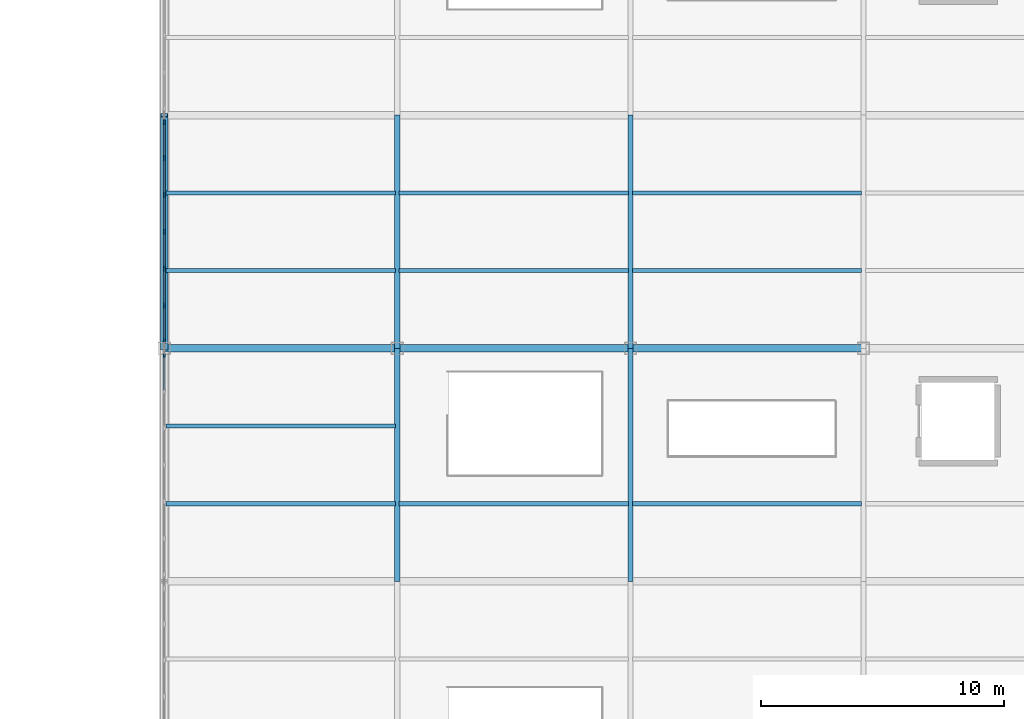
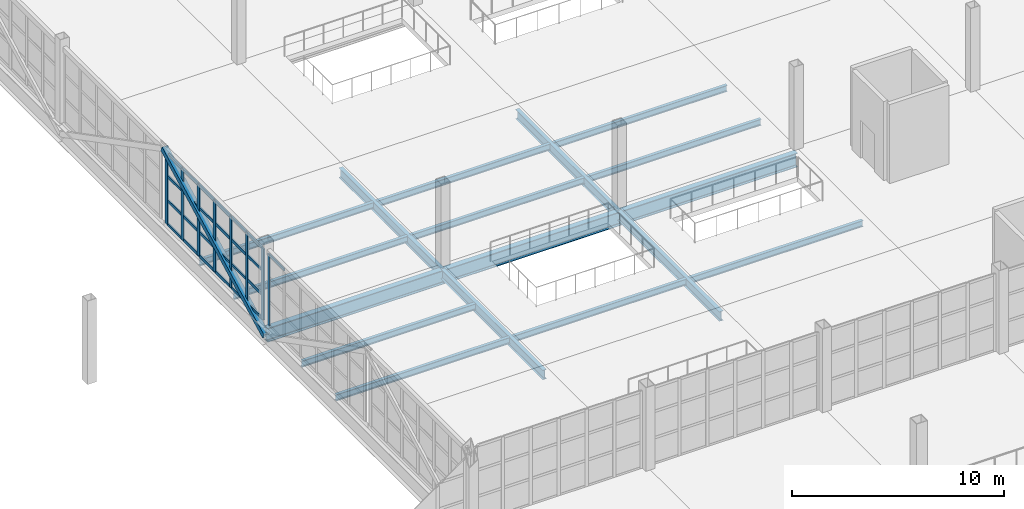
# One storey, part 45 of 120: 34 members, 17 beams, 2 elements without a shape of their own.
"""IFC4 building model written with IfcOpenShell, lengths in metres."""

from ifc_helpers import new_model, si_unit, direction, frame, origin, origin_2d, place, context, subcontext, project, spatial, rectangle, hollow_rectangle, i_section, extrude, material, layer, layer_set, material_profile, profile_set, type_object, element, aggregate, save


model = new_model("IFC4")

# Units and contexts
model_context = context("Model", 3, precision=1e-05, world=origin(), true_north=direction((0.0, 1.0)))
body_context = subcontext(model_context, "Body", "Model", "MODEL_VIEW")
ifc_project = project(units=[si_unit("LENGTHUNIT", "METRE"), si_unit("AREAUNIT", "SQUARE_METRE"), si_unit("VOLUMEUNIT", "CUBIC_METRE"), si_unit("PLANEANGLEUNIT", "RADIAN"), si_unit("MASSUNIT", "GRAM", prefix="KILO")], contexts=[model_context])

# Site, building, storey
site_placement = place(None, origin())
site = spatial("IfcSite", under=ifc_project, at=site_placement, CompositionType="ELEMENT")
building_placement = place(site_placement, origin())
building = spatial("IfcBuilding", under=site, at=building_placement, Name="Zarnetskaya Central Station", CompositionType="ELEMENT")
storey_placement = place(building_placement, frame((0.0, 0.0, 5.39990234375)))
storey = spatial("IfcBuildingStorey", under=building, at=storey_placement, Name="L01", CompositionType="ELEMENT", Elevation=5.39990234375)

# Beams
ifc_material_1 = material(Name="Steel S355", Category="steel")
ifc_material_profile_1 = material_profile(ifc_material_1, i_section(OverallWidth=0.169921875, OverallDepth=0.360107421875, WebThickness=0.008056640625, FlangeThickness=0.0126953125, FilletRadius=0.01806640625, at=origin_2d()), Name="IPE 360")
ifc_profile_set_1 = profile_set([ifc_material_profile_1], Name="Steel S355")
beam_type_1 = type_object("IfcBeamType", Name="BM-SEC-360", PredefinedType="BEAM", material=ifc_profile_set_1)
for number, where, z_axis, x_axis, name in (
    (1, (67.280029296875, 80.0, -0.4599609375), (1.0, 0.0, 0.0), (0.0, 1.0, 0.0), "Secondary floor beam SEC-L01-Z512-HJ-1011-1"),
    (2, (67.280029296875, 83.199951171875, -0.4599609375), (1.0, 0.0, 0.0), (0.0, 1.0, 0.0), "Secondary floor beam SEC-L01-Z512-HJ-1011-2"),
    (3, (67.280029296875, 89.60009765625, -0.4599609375), (1.0, 0.0, 0.0), (0.0, 1.0, 0.0), "Secondary floor beam SEC-L01-Z512-HJ-1112-1"),
    (4, (67.280029296875, 92.800048828125, -0.4599609375), (1.0, 0.0, 0.0), (0.0, 1.0, 0.0), "Secondary floor beam SEC-L01-Z512-HJ-1112-2"),
):
    element("IfcBeam", number, at=place(storey_placement, frame(where, z_axis=z_axis, x_axis=x_axis)), inside=storey, type_object=beam_type_1, Name=name, PredefinedType="BEAM", context=body_context, shape_type="SweptSolid", body=[
        extrude(i_section(OverallWidth=0.169921875, OverallDepth=0.360107421875, WebThickness=0.008056640625, FlangeThickness=0.0126953125, FilletRadius=0.01806640625, at=origin_2d()), origin(), (0.0, 0.0, 1.0), 9.43994140625),
    ])
for number, where, z_axis, x_axis, name in (
    (5, (76.8798828125, 80.0, -0.4599609375), (1.0, 0.0, 0.0), (0.0, 1.0, 0.0), "Secondary floor beam SEC-L01-Z512-JK-1011-1"),
    (6, (76.8798828125, 89.60009765625, -0.4599609375), (1.0, 0.0, 0.0), (0.0, 1.0, 0.0), "Secondary floor beam SEC-L01-Z512-JK-1112-1"),
    (7, (76.8798828125, 92.800048828125, -0.4599609375), (1.0, 0.0, 0.0), (0.0, 1.0, 0.0), "Secondary floor beam SEC-L01-Z512-JK-1112-2"),
):
    element("IfcBeam", number, at=place(storey_placement, frame(where, z_axis=z_axis, x_axis=x_axis)), inside=storey, type_object=beam_type_1, Name=name, PredefinedType="BEAM", context=body_context, shape_type="SweptSolid", body=[
        extrude(i_section(OverallWidth=0.169921875, OverallDepth=0.360107421875, WebThickness=0.008056640625, FlangeThickness=0.0126953125, FilletRadius=0.01806640625, at=origin_2d()), origin(), (0.0, 0.0, 1.0), 9.440185546875),
    ])
for number, where, z_axis, x_axis, name in (
    (8, (86.47998046875, 80.0, -0.4599609375), (1.0, 0.0, 0.0), (0.0, 1.0, 0.0), "Secondary floor beam SEC-L01-Z512-KL-1011-1"),
    (9, (86.47998046875, 89.60009765625, -0.4599609375), (1.0, 0.0, 0.0), (0.0, 1.0, 0.0), "Secondary floor beam SEC-L01-Z512-KL-1112-1"),
    (10, (86.47998046875, 92.800048828125, -0.4599609375), (1.0, 0.0, 0.0), (0.0, 1.0, 0.0), "Secondary floor beam SEC-L01-Z512-KL-1112-2"),
):
    element("IfcBeam", number, at=place(storey_placement, frame(where, z_axis=z_axis, x_axis=x_axis)), inside=storey, type_object=beam_type_1, Name=name, PredefinedType="BEAM", context=body_context, shape_type="SweptSolid", body=[
        extrude(i_section(OverallWidth=0.169921875, OverallDepth=0.360107421875, WebThickness=0.008056640625, FlangeThickness=0.0126953125, FilletRadius=0.01806640625, at=origin_2d()), origin(), (0.0, 0.0, 1.0), 9.43994140625),
    ])

# Curtain wall, member
ifc_material_2 = material(Name="Low-E insulated glass", Category="glass")
ifc_layer = layer(ifc_material_2, 0.172119140625, Name="Low-E insulated glass", Category="glass")
ifc_layer_set = layer_set([ifc_layer], Name="Low-E insulated glass")
curtain_wall_type = type_object("IfcCurtainWallType", Name="CW-SYS-09", PredefinedType="USERDEFINED", material=ifc_layer_set)
curtain_wall_1_placement = place(storey_placement, origin())
curtain_wall_1 = element("IfcCurtainWall", 11, at=curtain_wall_1_placement, inside=storey, type_object=curtain_wall_type, Name="Curtain wall CW-L01-147", ObjectType="CURTAIN WALL", PredefinedType="USERDEFINED")
ifc_material_3 = material(Name="Anodised aluminium", Category="aluminium")
ifc_material_profile_2 = material_profile(ifc_material_3, rectangle(XDim=0.070068359375, YDim=0.179931640625, at=origin_2d()), Name="ALU MULL 70x180")
ifc_profile_set_2 = profile_set([ifc_material_profile_2], Name="Anodised aluminium")
member_type_1 = type_object("IfcMemberType", Name="CW-MULL-180", PredefinedType="MULLION", material=ifc_profile_set_2)
member_1_placement = place(storey_placement, frame((67.199951171875, 86.114990234375, 0.0), z_axis=(0.0, 0.0, 1.0), x_axis=(-1.0, 0.0, 0.0)))
member_1 = element("IfcMember", 12, at=member_1_placement, type_object=member_type_1, Name="CW-07 mullion 7", PredefinedType="MULLION", context=body_context, shape_type="SweptSolid", body=[
    extrude(rectangle(XDim=0.070068359375, YDim=0.179931640625, at=origin_2d()), origin(), (0.0, 0.0, 1.0), 4.10009765625),
])

# Curtain wall, members
curtain_wall_2_placement = place(storey_placement, origin())
curtain_wall_2 = element("IfcCurtainWall", 13, at=curtain_wall_2_placement, inside=storey, type_object=curtain_wall_type, Name="Curtain wall CW-L01-148", ObjectType="CURTAIN WALL", PredefinedType="USERDEFINED")
ifc_material_profile_3 = material_profile(ifc_material_3, rectangle(XDim=0.080078125, YDim=0.219970703125, at=origin_2d()), Name="ALU MULL 80x220")
ifc_profile_set_3 = profile_set([ifc_material_profile_3], Name="Anodised aluminium")
member_type_2 = type_object("IfcMemberType", Name="CW-MULL-220", PredefinedType="MULLION", material=ifc_profile_set_3)
member_2_placement = place(storey_placement, frame((67.199951171875, 86.68994140625, 0.0), z_axis=(0.0, 0.0, 1.0), x_axis=(-1.0, 0.0, 0.0)))
member_2 = element("IfcMember", 14, at=member_2_placement, type_object=member_type_2, Name="CW-07 mullion 1", PredefinedType="MULLION", context=body_context, shape_type="SweptSolid", body=[
    extrude(rectangle(XDim=0.080078125, YDim=0.219970703125, at=origin_2d()), origin(), (0.0, 0.0, 1.0), 4.10009765625),
])
member_3_placement = place(storey_placement, frame((67.199951171875, 88.166748046875, 0.0), z_axis=(0.0, 0.0, 1.0), x_axis=(-1.0, 0.0, 0.0)))
member_3 = element("IfcMember", 15, at=member_3_placement, type_object=member_type_2, Name="CW-07 mullion 2", PredefinedType="MULLION", context=body_context, shape_type="SweptSolid", body=[
    extrude(rectangle(XDim=0.080078125, YDim=0.219970703125, at=origin_2d()), origin(), (0.0, 0.0, 1.0), 4.10009765625),
])
member_4_placement = place(storey_placement, frame((67.199951171875, 89.683349609375, 0.0), z_axis=(0.0, 0.0, 1.0), x_axis=(-1.0, 0.0, 0.0)))
member_4 = element("IfcMember", 16, at=member_4_placement, type_object=member_type_2, Name="CW-07 mullion 3", PredefinedType="MULLION", context=body_context, shape_type="SweptSolid", body=[
    extrude(rectangle(XDim=0.080078125, YDim=0.219970703125, at=origin_2d()), origin(), (0.0, 0.0, 1.0), 4.10009765625),
])
member_5_placement = place(storey_placement, frame((67.199951171875, 91.199951171875, 0.0), z_axis=(0.0, 0.0, 1.0), x_axis=(-1.0, 0.0, 0.0)))
member_5 = element("IfcMember", 17, at=member_5_placement, type_object=member_type_2, Name="CW-07 mullion 4", PredefinedType="MULLION", context=body_context, shape_type="SweptSolid", body=[
    extrude(rectangle(XDim=0.080078125, YDim=0.219970703125, at=origin_2d()), origin(), (0.0, 0.0, 1.0), 4.10009765625),
])
member_6_placement = place(storey_placement, frame((67.199951171875, 92.716552734375, 0.0), z_axis=(0.0, 0.0, 1.0), x_axis=(-1.0, 0.0, 0.0)))
member_6 = element("IfcMember", 18, at=member_6_placement, type_object=member_type_2, Name="CW-07 mullion 5", PredefinedType="MULLION", context=body_context, shape_type="SweptSolid", body=[
    extrude(rectangle(XDim=0.080078125, YDim=0.219970703125, at=origin_2d()), origin(), (0.0, 0.0, 1.0), 4.10009765625),
])
member_7_placement = place(storey_placement, frame((67.199951171875, 94.2333984375, 0.0), z_axis=(0.0, 0.0, 1.0), x_axis=(-1.0, 0.0, 0.0)))
member_7 = element("IfcMember", 19, at=member_7_placement, type_object=member_type_2, Name="CW-07 mullion 6", PredefinedType="MULLION", context=body_context, shape_type="SweptSolid", body=[
    extrude(rectangle(XDim=0.080078125, YDim=0.219970703125, at=origin_2d()), origin(), (0.0, 0.0, 1.0), 4.10009765625),
])
member_8_placement = place(storey_placement, frame((67.199951171875, 95.7099609375, 0.0), z_axis=(0.0, 0.0, 1.0), x_axis=(-1.0, 0.0, 0.0)))
member_8 = element("IfcMember", 20, at=member_8_placement, type_object=member_type_2, Name="CW-07 mullion 7", PredefinedType="MULLION", context=body_context, shape_type="SweptSolid", body=[
    extrude(rectangle(XDim=0.080078125, YDim=0.219970703125, at=origin_2d()), origin(), (0.0, 0.0, 1.0), 4.10009765625),
])

# Member
ifc_material_profile_4 = material_profile(ifc_material_3, rectangle(XDim=0.070068359375, YDim=0.139892578125, at=origin_2d()), Name="ALU TRAN 70x140")
ifc_profile_set_4 = profile_set([ifc_material_profile_4], Name="Anodised aluminium")
member_type_3 = type_object("IfcMemberType", Name="CW-TRAN-140", PredefinedType="USERDEFINED", material=ifc_profile_set_4)
member_9_placement = place(storey_placement, frame((67.199951171875, 84.668212890625, 4.065185546875), z_axis=(0.0, 1.0, 0.0), x_axis=(-1.0, 0.0, 0.0)))
member_9 = element("IfcMember", 21, at=member_9_placement, type_object=member_type_3, Name="CW-07 transom 6.4", ObjectType="TRANSOM", PredefinedType="USERDEFINED", context=body_context, shape_type="SweptSolid", body=[
    extrude(rectangle(XDim=0.070068359375, YDim=0.139892578125, at=origin_2d()), origin(), (0.0, 0.0, 1.0), 1.411865234375),
])

aggregate(curtain_wall_1, [member_1, member_9])

ifc_material_profile_5 = material_profile(ifc_material_3, rectangle(XDim=0.080078125, YDim=0.159912109375, at=origin_2d()), Name="ALU TRAN 80x160")
ifc_profile_set_5 = profile_set([ifc_material_profile_5], Name="Anodised aluminium")
member_type_4 = type_object("IfcMemberType", Name="CW-TRAN-160", PredefinedType="USERDEFINED", material=ifc_profile_set_5)
member_10_placement = place(storey_placement, frame((67.199951171875, 86.72998046875, 0.0400390625), z_axis=(0.0, 1.0, 0.0), x_axis=(-1.0, 0.0, 0.0)))
member_10 = element("IfcMember", 22, at=member_10_placement, type_object=member_type_4, Name="CW-07 transom 1.1", ObjectType="TRANSOM", PredefinedType="USERDEFINED", context=body_context, shape_type="SweptSolid", body=[
    extrude(rectangle(XDim=0.080078125, YDim=0.159912109375, at=origin_2d()), origin(), (0.0, 0.0, 1.0), 1.396728515625),
])

member_11_placement = place(storey_placement, frame((67.199951171875, 86.72998046875, 1.39404296875), z_axis=(0.0, 1.0, 0.0), x_axis=(-1.0, 0.0, 0.0)))
member_11 = element("IfcMember", 23, at=member_11_placement, type_object=member_type_4, Name="CW-07 transom 1.2", ObjectType="TRANSOM", PredefinedType="USERDEFINED", context=body_context, shape_type="SweptSolid", body=[
    extrude(rectangle(XDim=0.080078125, YDim=0.159912109375, at=origin_2d()), origin(), (0.0, 0.0, 1.0), 1.396728515625),
])

member_12_placement = place(storey_placement, frame((67.199951171875, 86.72998046875, 2.7880859375), z_axis=(0.0, 1.0, 0.0), x_axis=(-1.0, 0.0, 0.0)))
member_12 = element("IfcMember", 24, at=member_12_placement, type_object=member_type_4, Name="CW-07 transom 1.3", ObjectType="TRANSOM", PredefinedType="USERDEFINED", context=body_context, shape_type="SweptSolid", body=[
    extrude(rectangle(XDim=0.080078125, YDim=0.159912109375, at=origin_2d()), origin(), (0.0, 0.0, 1.0), 1.396728515625),
])

member_13_placement = place(storey_placement, frame((67.199951171875, 86.72998046875, 4.06005859375), z_axis=(0.0, 1.0, 0.0), x_axis=(-1.0, 0.0, 0.0)))
member_13 = element("IfcMember", 25, at=member_13_placement, type_object=member_type_4, Name="CW-07 transom 1.4", ObjectType="TRANSOM", PredefinedType="USERDEFINED", context=body_context, shape_type="SweptSolid", body=[
    extrude(rectangle(XDim=0.080078125, YDim=0.159912109375, at=origin_2d()), origin(), (0.0, 0.0, 1.0), 1.396728515625),
])

member_14_placement = place(storey_placement, frame((67.199951171875, 88.206787109375, 0.0400390625), z_axis=(0.0, 1.0, 0.0), x_axis=(-1.0, 0.0, 0.0)))
member_14 = element("IfcMember", 26, at=member_14_placement, type_object=member_type_4, Name="CW-07 transom 2.1", ObjectType="TRANSOM", PredefinedType="USERDEFINED", context=body_context, shape_type="SweptSolid", body=[
    extrude(rectangle(XDim=0.080078125, YDim=0.159912109375, at=origin_2d()), origin(), (0.0, 0.0, 1.0), 1.4365234375),
])

member_15_placement = place(storey_placement, frame((67.199951171875, 88.206787109375, 1.39404296875), z_axis=(0.0, 1.0, 0.0), x_axis=(-1.0, 0.0, 0.0)))
member_15 = element("IfcMember", 27, at=member_15_placement, type_object=member_type_4, Name="CW-07 transom 2.2", ObjectType="TRANSOM", PredefinedType="USERDEFINED", context=body_context, shape_type="SweptSolid", body=[
    extrude(rectangle(XDim=0.080078125, YDim=0.159912109375, at=origin_2d()), origin(), (0.0, 0.0, 1.0), 1.4365234375),
])

member_16_placement = place(storey_placement, frame((67.199951171875, 88.206787109375, 2.7880859375), z_axis=(0.0, 1.0, 0.0), x_axis=(-1.0, 0.0, 0.0)))
member_16 = element("IfcMember", 28, at=member_16_placement, type_object=member_type_4, Name="CW-07 transom 2.3", ObjectType="TRANSOM", PredefinedType="USERDEFINED", context=body_context, shape_type="SweptSolid", body=[
    extrude(rectangle(XDim=0.080078125, YDim=0.159912109375, at=origin_2d()), origin(), (0.0, 0.0, 1.0), 1.4365234375),
])

member_17_placement = place(storey_placement, frame((67.199951171875, 88.206787109375, 4.06005859375), z_axis=(0.0, 1.0, 0.0), x_axis=(-1.0, 0.0, 0.0)))
member_17 = element("IfcMember", 29, at=member_17_placement, type_object=member_type_4, Name="CW-07 transom 2.4", ObjectType="TRANSOM", PredefinedType="USERDEFINED", context=body_context, shape_type="SweptSolid", body=[
    extrude(rectangle(XDim=0.080078125, YDim=0.159912109375, at=origin_2d()), origin(), (0.0, 0.0, 1.0), 1.4365234375),
])

member_18_placement = place(storey_placement, frame((67.199951171875, 89.723388671875, 0.0400390625), z_axis=(0.0, 1.0, 0.0), x_axis=(-1.0, 0.0, 0.0)))
member_18 = element("IfcMember", 30, at=member_18_placement, type_object=member_type_4, Name="CW-07 transom 3.1", ObjectType="TRANSOM", PredefinedType="USERDEFINED", context=body_context, shape_type="SweptSolid", body=[
    extrude(rectangle(XDim=0.080078125, YDim=0.159912109375, at=origin_2d()), origin(), (0.0, 0.0, 1.0), 1.4365234375),
])

member_19_placement = place(storey_placement, frame((67.199951171875, 89.723388671875, 1.39404296875), z_axis=(0.0, 1.0, 0.0), x_axis=(-1.0, 0.0, 0.0)))
member_19 = element("IfcMember", 31, at=member_19_placement, type_object=member_type_4, Name="CW-07 transom 3.2", ObjectType="TRANSOM", PredefinedType="USERDEFINED", context=body_context, shape_type="SweptSolid", body=[
    extrude(rectangle(XDim=0.080078125, YDim=0.159912109375, at=origin_2d()), origin(), (0.0, 0.0, 1.0), 1.4365234375),
])

member_20_placement = place(storey_placement, frame((67.199951171875, 89.723388671875, 2.7880859375), z_axis=(0.0, 1.0, 0.0), x_axis=(-1.0, 0.0, 0.0)))
member_20 = element("IfcMember", 32, at=member_20_placement, type_object=member_type_4, Name="CW-07 transom 3.3", ObjectType="TRANSOM", PredefinedType="USERDEFINED", context=body_context, shape_type="SweptSolid", body=[
    extrude(rectangle(XDim=0.080078125, YDim=0.159912109375, at=origin_2d()), origin(), (0.0, 0.0, 1.0), 1.4365234375),
])

member_21_placement = place(storey_placement, frame((67.199951171875, 89.723388671875, 4.06005859375), z_axis=(0.0, 1.0, 0.0), x_axis=(-1.0, 0.0, 0.0)))
member_21 = element("IfcMember", 33, at=member_21_placement, type_object=member_type_4, Name="CW-07 transom 3.4", ObjectType="TRANSOM", PredefinedType="USERDEFINED", context=body_context, shape_type="SweptSolid", body=[
    extrude(rectangle(XDim=0.080078125, YDim=0.159912109375, at=origin_2d()), origin(), (0.0, 0.0, 1.0), 1.4365234375),
])

member_22_placement = place(storey_placement, frame((67.199951171875, 91.239990234375, 0.0400390625), z_axis=(0.0, 1.0, 0.0), x_axis=(-1.0, 0.0, 0.0)))
member_22 = element("IfcMember", 34, at=member_22_placement, type_object=member_type_4, Name="CW-07 transom 4.1", ObjectType="TRANSOM", PredefinedType="USERDEFINED", context=body_context, shape_type="SweptSolid", body=[
    extrude(rectangle(XDim=0.080078125, YDim=0.159912109375, at=origin_2d()), origin(), (0.0, 0.0, 1.0), 1.436767578125),
])

member_23_placement = place(storey_placement, frame((67.199951171875, 91.239990234375, 1.39404296875), z_axis=(0.0, 1.0, 0.0), x_axis=(-1.0, 0.0, 0.0)))
member_23 = element("IfcMember", 35, at=member_23_placement, type_object=member_type_4, Name="CW-07 transom 4.2", ObjectType="TRANSOM", PredefinedType="USERDEFINED", context=body_context, shape_type="SweptSolid", body=[
    extrude(rectangle(XDim=0.080078125, YDim=0.159912109375, at=origin_2d()), origin(), (0.0, 0.0, 1.0), 1.436767578125),
])

member_24_placement = place(storey_placement, frame((67.199951171875, 91.239990234375, 2.7880859375), z_axis=(0.0, 1.0, 0.0), x_axis=(-1.0, 0.0, 0.0)))
member_24 = element("IfcMember", 36, at=member_24_placement, type_object=member_type_4, Name="CW-07 transom 4.3", ObjectType="TRANSOM", PredefinedType="USERDEFINED", context=body_context, shape_type="SweptSolid", body=[
    extrude(rectangle(XDim=0.080078125, YDim=0.159912109375, at=origin_2d()), origin(), (0.0, 0.0, 1.0), 1.436767578125),
])

member_25_placement = place(storey_placement, frame((67.199951171875, 91.239990234375, 4.06005859375), z_axis=(0.0, 1.0, 0.0), x_axis=(-1.0, 0.0, 0.0)))
member_25 = element("IfcMember", 37, at=member_25_placement, type_object=member_type_4, Name="CW-07 transom 4.4", ObjectType="TRANSOM", PredefinedType="USERDEFINED", context=body_context, shape_type="SweptSolid", body=[
    extrude(rectangle(XDim=0.080078125, YDim=0.159912109375, at=origin_2d()), origin(), (0.0, 0.0, 1.0), 1.436767578125),
])

member_26_placement = place(storey_placement, frame((67.199951171875, 92.756591796875, 0.0400390625), z_axis=(0.0, 1.0, 0.0), x_axis=(-1.0, 0.0, 0.0)))
member_26 = element("IfcMember", 38, at=member_26_placement, type_object=member_type_4, Name="CW-07 transom 5.1", ObjectType="TRANSOM", PredefinedType="USERDEFINED", context=body_context, shape_type="SweptSolid", body=[
    extrude(rectangle(XDim=0.080078125, YDim=0.159912109375, at=origin_2d()), origin(), (0.0, 0.0, 1.0), 1.436767578125),
])

member_27_placement = place(storey_placement, frame((67.199951171875, 92.756591796875, 1.39404296875), z_axis=(0.0, 1.0, 0.0), x_axis=(-1.0, 0.0, 0.0)))
member_27 = element("IfcMember", 39, at=member_27_placement, type_object=member_type_4, Name="CW-07 transom 5.2", ObjectType="TRANSOM", PredefinedType="USERDEFINED", context=body_context, shape_type="SweptSolid", body=[
    extrude(rectangle(XDim=0.080078125, YDim=0.159912109375, at=origin_2d()), origin(), (0.0, 0.0, 1.0), 1.436767578125),
])

member_28_placement = place(storey_placement, frame((67.199951171875, 92.756591796875, 2.7880859375), z_axis=(0.0, 1.0, 0.0), x_axis=(-1.0, 0.0, 0.0)))
member_28 = element("IfcMember", 40, at=member_28_placement, type_object=member_type_4, Name="CW-07 transom 5.3", ObjectType="TRANSOM", PredefinedType="USERDEFINED", context=body_context, shape_type="SweptSolid", body=[
    extrude(rectangle(XDim=0.080078125, YDim=0.159912109375, at=origin_2d()), origin(), (0.0, 0.0, 1.0), 1.436767578125),
])

member_29_placement = place(storey_placement, frame((67.199951171875, 92.756591796875, 4.06005859375), z_axis=(0.0, 1.0, 0.0), x_axis=(-1.0, 0.0, 0.0)))
member_29 = element("IfcMember", 41, at=member_29_placement, type_object=member_type_4, Name="CW-07 transom 5.4", ObjectType="TRANSOM", PredefinedType="USERDEFINED", context=body_context, shape_type="SweptSolid", body=[
    extrude(rectangle(XDim=0.080078125, YDim=0.159912109375, at=origin_2d()), origin(), (0.0, 0.0, 1.0), 1.436767578125),
])

member_30_placement = place(storey_placement, frame((67.199951171875, 94.2734375, 0.0400390625), z_axis=(0.0, 1.0, 0.0), x_axis=(-1.0, 0.0, 0.0)))
member_30 = element("IfcMember", 42, at=member_30_placement, type_object=member_type_4, Name="CW-07 transom 6.1", ObjectType="TRANSOM", PredefinedType="USERDEFINED", context=body_context, shape_type="SweptSolid", body=[
    extrude(rectangle(XDim=0.080078125, YDim=0.159912109375, at=origin_2d()), origin(), (0.0, 0.0, 1.0), 1.396484375),
])

member_31_placement = place(storey_placement, frame((67.199951171875, 94.2734375, 1.39404296875), z_axis=(0.0, 1.0, 0.0), x_axis=(-1.0, 0.0, 0.0)))
member_31 = element("IfcMember", 43, at=member_31_placement, type_object=member_type_4, Name="CW-07 transom 6.2", ObjectType="TRANSOM", PredefinedType="USERDEFINED", context=body_context, shape_type="SweptSolid", body=[
    extrude(rectangle(XDim=0.080078125, YDim=0.159912109375, at=origin_2d()), origin(), (0.0, 0.0, 1.0), 1.396484375),
])

member_32_placement = place(storey_placement, frame((67.199951171875, 94.2734375, 2.7880859375), z_axis=(0.0, 1.0, 0.0), x_axis=(-1.0, 0.0, 0.0)))
member_32 = element("IfcMember", 44, at=member_32_placement, type_object=member_type_4, Name="CW-07 transom 6.3", ObjectType="TRANSOM", PredefinedType="USERDEFINED", context=body_context, shape_type="SweptSolid", body=[
    extrude(rectangle(XDim=0.080078125, YDim=0.159912109375, at=origin_2d()), origin(), (0.0, 0.0, 1.0), 1.396484375),
])

member_33_placement = place(storey_placement, frame((67.199951171875, 94.2734375, 4.06005859375), z_axis=(0.0, 1.0, 0.0), x_axis=(-1.0, 0.0, 0.0)))
member_33 = element("IfcMember", 45, at=member_33_placement, type_object=member_type_4, Name="CW-07 transom 6.4", ObjectType="TRANSOM", PredefinedType="USERDEFINED", context=body_context, shape_type="SweptSolid", body=[
    extrude(rectangle(XDim=0.080078125, YDim=0.159912109375, at=origin_2d()), origin(), (0.0, 0.0, 1.0), 1.396484375),
])

aggregate(curtain_wall_2, [member_2, member_3, member_4, member_5, member_6, member_7, member_8, member_10, member_11, member_12, member_13, member_14, member_15, member_16, member_17, member_18, member_19, member_20, member_21, member_22, member_23, member_24, member_25, member_26, member_27, member_28, member_29, member_30, member_31, member_32, member_33])

# Beams
ifc_material_profile_6 = material_profile(ifc_material_1, i_section(OverallWidth=0.300048828125, OverallDepth=0.800048828125, WebThickness=0.017578125, FlangeThickness=0.032958984375, FilletRadius=0.030029296875, at=origin_2d()), Name="HEB 800")
ifc_profile_set_6 = profile_set([ifc_material_profile_6], Name="Steel S355")
beam_type_2 = type_object("IfcBeamType", Name="GD-BRG-800", PredefinedType="USERDEFINED", material=ifc_profile_set_6)
beam_1_placement = place(storey_placement, frame((67.199951171875, 86.39990234375, -0.679931640625), z_axis=(1.0, 0.0, 0.0), x_axis=(0.0, 1.0, 0.0)))
element("IfcBeam", 46, at=beam_1_placement, inside=storey, type_object=beam_type_2, Name="Grid girder GX-L01-11-HJ", ObjectType="GIRDER", PredefinedType="USERDEFINED", context=body_context, shape_type="SweptSolid", body=[
    extrude(i_section(OverallWidth=0.300048828125, OverallDepth=0.800048828125, WebThickness=0.017578125, FlangeThickness=0.032958984375, FilletRadius=0.030029296875, at=origin_2d()), origin(), (0.0, 0.0, 1.0), 9.60009765625),
])
beam_2_placement = place(storey_placement, frame((76.800048828125, 86.39990234375, -0.679931640625), z_axis=(1.0, 0.0, 0.0), x_axis=(0.0, 1.0, 0.0)))
element("IfcBeam", 47, at=beam_2_placement, inside=storey, type_object=beam_type_2, Name="Grid girder GX-L01-11-JK", ObjectType="GIRDER", PredefinedType="USERDEFINED", context=body_context, shape_type="SweptSolid", body=[
    extrude(i_section(OverallWidth=0.300048828125, OverallDepth=0.800048828125, WebThickness=0.017578125, FlangeThickness=0.032958984375, FilletRadius=0.030029296875, at=origin_2d()), origin(), (0.0, 0.0, 1.0), 9.599853515625),
])
beam_3_placement = place(storey_placement, frame((86.39990234375, 86.39990234375, -0.679931640625), z_axis=(1.0, 0.0, 0.0), x_axis=(0.0, 1.0, 0.0)))
element("IfcBeam", 48, at=beam_3_placement, inside=storey, type_object=beam_type_2, Name="Grid girder GX-L01-11-KL", ObjectType="GIRDER", PredefinedType="USERDEFINED", context=body_context, shape_type="SweptSolid", body=[
    extrude(i_section(OverallWidth=0.300048828125, OverallDepth=0.800048828125, WebThickness=0.017578125, FlangeThickness=0.032958984375, FilletRadius=0.030029296875, at=origin_2d()), origin(), (0.0, 0.0, 1.0), 9.60009765625),
])
ifc_material_profile_7 = material_profile(ifc_material_1, i_section(OverallWidth=0.2099609375, OverallDepth=0.550048828125, WebThickness=0.010986328125, FlangeThickness=0.01708984375, FilletRadius=0.02392578125, at=origin_2d()), Name="IPE 550")
ifc_profile_set_7 = profile_set([ifc_material_profile_7], Name="Steel S355")
beam_type_3 = type_object("IfcBeamType", Name="GD-FLR-550", PredefinedType="USERDEFINED", material=ifc_profile_set_7)
beam_4_placement = place(storey_placement, frame((76.800048828125, 76.800048828125, -0.554931640625), z_axis=(0.0, 1.0, 0.0), x_axis=(-1.0, 0.0, 0.0)))
element("IfcBeam", 49, at=beam_4_placement, inside=storey, type_object=beam_type_3, Name="Grid girder GY-L01-J-1011", ObjectType="GIRDER", PredefinedType="USERDEFINED", context=body_context, shape_type="SweptSolid", body=[
    extrude(i_section(OverallWidth=0.2099609375, OverallDepth=0.550048828125, WebThickness=0.010986328125, FlangeThickness=0.01708984375, FilletRadius=0.02392578125, at=origin_2d()), origin(), (0.0, 0.0, 1.0), 9.599853515625),
])
beam_5_placement = place(storey_placement, frame((76.800048828125, 86.39990234375, -0.554931640625), z_axis=(0.0, 1.0, 0.0), x_axis=(-1.0, 0.0, 0.0)))
element("IfcBeam", 50, at=beam_5_placement, inside=storey, type_object=beam_type_3, Name="Grid girder GY-L01-J-1112", ObjectType="GIRDER", PredefinedType="USERDEFINED", context=body_context, shape_type="SweptSolid", body=[
    extrude(i_section(OverallWidth=0.2099609375, OverallDepth=0.550048828125, WebThickness=0.010986328125, FlangeThickness=0.01708984375, FilletRadius=0.02392578125, at=origin_2d()), origin(), (0.0, 0.0, 1.0), 9.60009765625),
])
beam_6_placement = place(storey_placement, frame((86.39990234375, 76.800048828125, -0.554931640625), z_axis=(0.0, 1.0, 0.0), x_axis=(-1.0, 0.0, 0.0)))
element("IfcBeam", 51, at=beam_6_placement, inside=storey, type_object=beam_type_3, Name="Grid girder GY-L01-K-1011", ObjectType="GIRDER", PredefinedType="USERDEFINED", context=body_context, shape_type="SweptSolid", body=[
    extrude(i_section(OverallWidth=0.2099609375, OverallDepth=0.550048828125, WebThickness=0.010986328125, FlangeThickness=0.01708984375, FilletRadius=0.02392578125, at=origin_2d()), origin(), (0.0, 0.0, 1.0), 9.599853515625),
])
beam_7_placement = place(storey_placement, frame((86.39990234375, 86.39990234375, -0.554931640625), z_axis=(0.0, 1.0, 0.0), x_axis=(-1.0, 0.0, 0.0)))
element("IfcBeam", 52, at=beam_7_placement, inside=storey, type_object=beam_type_3, Name="Grid girder GY-L01-K-1112", ObjectType="GIRDER", PredefinedType="USERDEFINED", context=body_context, shape_type="SweptSolid", body=[
    extrude(i_section(OverallWidth=0.2099609375, OverallDepth=0.550048828125, WebThickness=0.010986328125, FlangeThickness=0.01708984375, FilletRadius=0.02392578125, at=origin_2d()), origin(), (0.0, 0.0, 1.0), 9.60009765625),
])

# Member
ifc_material_profile_8 = material_profile(ifc_material_1, hollow_rectangle(XDim=0.300048828125, YDim=0.300048828125, WallThickness=0.01611328125, at=origin_2d()), Name="SHS 300x300x16")
ifc_profile_set_8 = profile_set([ifc_material_profile_8], Name="Steel S355")
member_type_5 = type_object("IfcMemberType", Name="MB-XFER-DIAG", PredefinedType="BRACE", material=ifc_profile_set_8)
member_34_placement = place(storey_placement, frame((67.199951171875, 86.39990234375, -0.77978515625), z_axis=(0.0, 0.887673200705, 0.460473982707), x_axis=(-1.0, 0.0, 0.0)))
element("IfcMember", 53, at=member_34_placement, inside=storey, type_object=member_type_5, Name="Transfer truss H 11-13 diagonal 1", PredefinedType="BRACE", context=body_context, shape_type="SweptSolid", body=[
    extrude(hollow_rectangle(XDim=0.300048828125, YDim=0.300048828125, WallThickness=0.01611328125, at=origin_2d()), origin(), (0.0, 0.0, 1.0), 10.81494140625),
])

save(model, "model.ifc")
